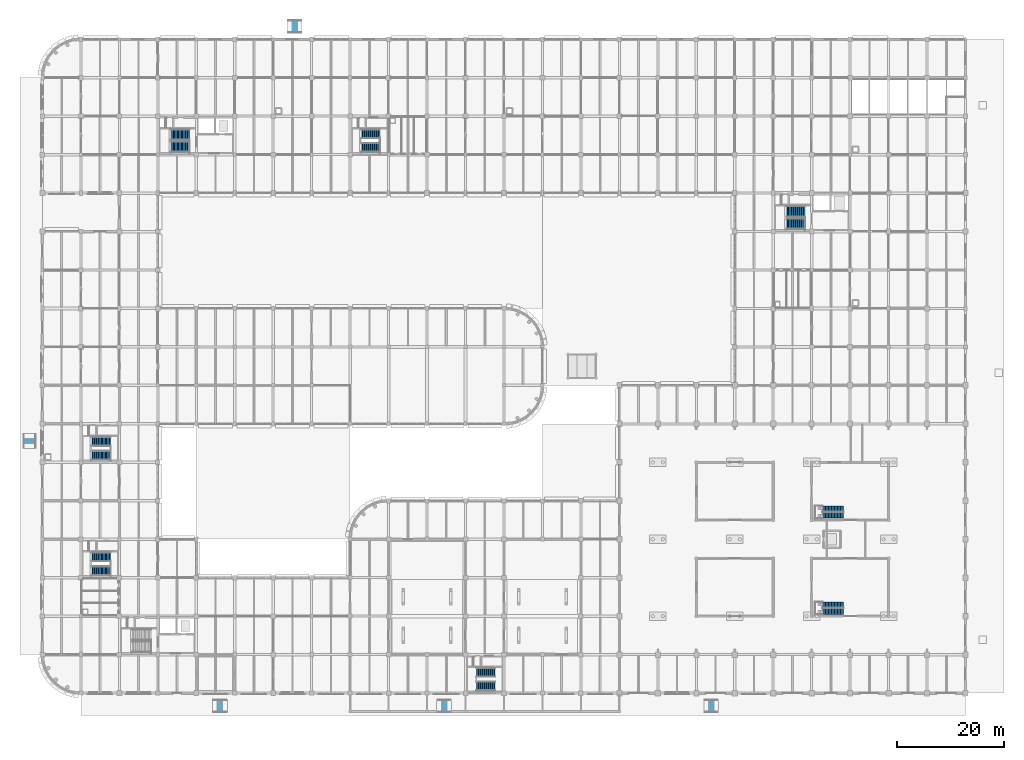
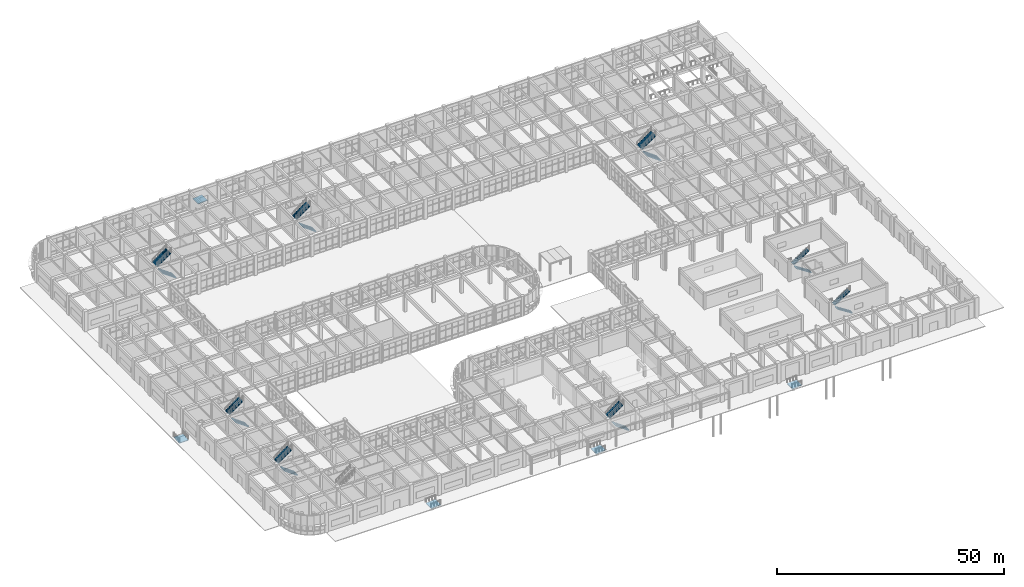
# One storey, part 150 of 160: 16 stair flights, 5 ramp flights, 13 elements without a shape of their own.
"""IFC4 building model written with IfcOpenShell, lengths in metres."""

from ifc_helpers import new_model, si_unit, direction, frame, origin, place, context, subcontext, project, spatial, polyline, outline, extrude, material, layer, layer_set, type_object, element, aggregate, save


model = new_model("IFC4")

# Units and contexts
model_context = context("Model", 3, precision=1e-05, world=origin(), true_north=direction((0.0, 1.0)))
body_context = subcontext(model_context, "Body", "Model", "MODEL_VIEW")
ifc_project = project(units=[si_unit("LENGTHUNIT", "METRE"), si_unit("AREAUNIT", "SQUARE_METRE"), si_unit("VOLUMEUNIT", "CUBIC_METRE"), si_unit("PLANEANGLEUNIT", "RADIAN"), si_unit("MASSUNIT", "GRAM", prefix="KILO")], contexts=[model_context])

# Site, building, storey
site_placement = place(None, origin())
site = spatial("IfcSite", under=ifc_project, at=site_placement, CompositionType="ELEMENT")
building_placement = place(site_placement, origin())
building = spatial("IfcBuilding", under=site, at=building_placement, Name="Thalmaran Polytechnic", CompositionType="ELEMENT")
storey_placement = place(building_placement, origin())
storey = spatial("IfcBuildingStorey", under=building, at=storey_placement, Name="L00", CompositionType="ELEMENT", Elevation=0.0)

# Stair, stair flights
ifc_material = material(Name="Concrete C40/50", Category="concrete")
stair_type_1 = type_object("IfcStairType", Name="ST-HT54", PredefinedType="HALF_TURN_STAIR", material=ifc_material)
stair_1_placement = place(storey_placement, origin())
stair_1 = element("IfcStair", 1, at=stair_1_placement, inside=storey, type_object=stair_type_1, Name="Exit Stair ST2 L00", PredefinedType="HALF_TURN_STAIR")
stair_flight_type_1 = type_object("IfcStairFlightType", Name="SF-FL16", PredefinedType="STRAIGHT", material=ifc_material)
stair_flight_1_placement = place(storey_placement, frame((27.52001953125, 102.159912109375, 0.0), z_axis=(0.0, 0.0, 1.0), x_axis=(-1.0, 0.0, 0.0)))
stair_flight_1 = element("IfcStairFlight", 2, at=stair_flight_1_placement, type_object=stair_flight_type_1, Name="Stair Flight ST2 L00 Lower", NumberOfRisers=15, NumberOfTreads=14, PredefinedType="STRAIGHT", RiserHeight=0.18, TreadLength=0.251429, context=body_context, shape_type="SweptSolid", body=[
    extrude(outline(polyline([(0.0, 0.0), (0.0, 0.179931640625), (0.25146484375, 0.179931640625), (0.25146484375, 0.360107421875), (0.5029296875, 0.360107421875), (0.5029296875, 0.5400390625), (0.75439453125, 0.5400390625), (0.75439453125, 0.719970703125), (1.005615234375, 0.719970703125), (1.005615234375, 0.89990234375), (1.257080078125, 0.89990234375), (1.257080078125, 1.080078125), (1.508544921875, 1.080078125), (1.508544921875, 1.260009765625), (1.760009765625, 1.260009765625), (1.760009765625, 1.43994140625), (2.011474609375, 1.43994140625), (2.011474609375, 1.6201171875), (2.262939453125, 1.6201171875), (2.262939453125, 1.800048828125), (2.514404296875, 1.800048828125), (2.514404296875, 1.97998046875), (2.765625, 1.97998046875), (2.765625, 2.159912109375), (3.01708984375, 2.159912109375), (3.01708984375, 2.340087890625), (3.2685546875, 2.340087890625), (3.2685546875, 2.52001953125), (3.52001953125, 2.52001953125), (3.52001953125, 2.699951171875), (3.52001953125, 2.298828125), (0.30908203125, 0.0), (0.0, 0.0)])), frame((0.0, 1.080078125, 0.0), z_axis=(0.0, -1.0, 0.0), x_axis=(1.0, 0.0, 0.0)), (0.0, 0.0, 1.0), 2.159912109375),
])
stair_flight_2_placement = place(storey_placement, frame((24.0, 104.6201171875, 2.699951171875), z_axis=(0.0, 0.0, 1.0), x_axis=(1.0, 0.0, 0.0)))
stair_flight_2 = element("IfcStairFlight", 3, at=stair_flight_2_placement, type_object=stair_flight_type_1, Name="Stair Flight ST2 L00 Upper", NumberOfRisers=15, NumberOfTreads=14, PredefinedType="STRAIGHT", RiserHeight=0.18, TreadLength=0.251429, context=body_context, shape_type="SweptSolid", body=[
    extrude(outline(polyline([(0.0, 0.0), (0.0, 0.179931640625), (0.25146484375, 0.179931640625), (0.25146484375, 0.360107421875), (0.5029296875, 0.360107421875), (0.5029296875, 0.5400390625), (0.75439453125, 0.5400390625), (0.75439453125, 0.719970703125), (1.005615234375, 0.719970703125), (1.005615234375, 0.89990234375), (1.257080078125, 0.89990234375), (1.257080078125, 1.080078125), (1.508544921875, 1.080078125), (1.508544921875, 1.260009765625), (1.760009765625, 1.260009765625), (1.760009765625, 1.43994140625), (2.011474609375, 1.43994140625), (2.011474609375, 1.6201171875), (2.262939453125, 1.6201171875), (2.262939453125, 1.800048828125), (2.514404296875, 1.800048828125), (2.514404296875, 1.97998046875), (2.765625, 1.97998046875), (2.765625, 2.159912109375), (3.01708984375, 2.159912109375), (3.01708984375, 2.340087890625), (3.2685546875, 2.340087890625), (3.2685546875, 2.52001953125), (3.52001953125, 2.52001953125), (3.52001953125, 2.699951171875), (3.52001953125, 2.298828125), (0.30908203125, 0.0), (0.0, 0.0)])), frame((0.0, 1.080078125, 0.0), z_axis=(0.0, -1.0, 0.0), x_axis=(1.0, 0.0, 0.0)), (0.0, 0.0, 1.0), 2.159912109375),
])
aggregate(stair_1, [stair_flight_1, stair_flight_2])

stair_2_placement = place(storey_placement, origin())
stair_2 = element("IfcStair", 4, at=stair_2_placement, inside=storey, type_object=stair_type_1, Name="Exit Stair ST3 L00", PredefinedType="HALF_TURN_STAIR")
stair_flight_3_placement = place(storey_placement, frame((12.760009765625, 22.7900390625, 0.0), z_axis=(0.0, 0.0, 1.0), x_axis=(-1.0, 0.0, 0.0)))
stair_flight_3 = element("IfcStairFlight", 5, at=stair_flight_3_placement, type_object=stair_flight_type_1, Name="Stair Flight ST3 L00 Lower", NumberOfRisers=15, NumberOfTreads=14, PredefinedType="STRAIGHT", RiserHeight=0.18, TreadLength=0.25, context=body_context, shape_type="SweptSolid", body=[
    extrude(outline(polyline([(0.0, 0.0), (0.0, 0.179931640625), (0.25, 0.179931640625), (0.25, 0.360107421875), (0.5, 0.360107421875), (0.5, 0.5400390625), (0.75, 0.5400390625), (0.75, 0.719970703125), (1.0, 0.719970703125), (1.0, 0.89990234375), (1.25, 0.89990234375), (1.25, 1.080078125), (1.5, 1.080078125), (1.5, 1.260009765625), (1.75, 1.260009765625), (1.75, 1.43994140625), (2.0, 1.43994140625), (2.0, 1.6201171875), (2.25, 1.6201171875), (2.25, 1.800048828125), (2.5, 1.800048828125), (2.5, 1.97998046875), (2.75, 1.97998046875), (2.75, 2.159912109375), (3.0, 2.159912109375), (3.0, 2.340087890625), (3.25, 2.340087890625), (3.25, 2.52001953125), (3.5, 2.52001953125), (3.5, 2.699951171875), (3.5, 2.29833984375), (0.307861328125, 0.0), (0.0, 0.0)])), frame((0.0, 0.91015625, 0.0), z_axis=(0.0, -1.0, 0.0), x_axis=(1.0, 0.0, 0.0)), (0.0, 0.0, 1.0), 1.820068359375),
])
stair_flight_4_placement = place(storey_placement, frame((9.260009765625, 25.590087890625, 2.699951171875), z_axis=(0.0, 0.0, 1.0), x_axis=(1.0, 0.0, 0.0)))
stair_flight_4 = element("IfcStairFlight", 6, at=stair_flight_4_placement, type_object=stair_flight_type_1, Name="Stair Flight ST3 L00 Upper", NumberOfRisers=15, NumberOfTreads=14, PredefinedType="STRAIGHT", RiserHeight=0.18, TreadLength=0.25, context=body_context, shape_type="SweptSolid", body=[
    extrude(outline(polyline([(0.0, 0.0), (0.0, 0.179931640625), (0.25, 0.179931640625), (0.25, 0.360107421875), (0.5, 0.360107421875), (0.5, 0.5400390625), (0.75, 0.5400390625), (0.75, 0.719970703125), (1.0, 0.719970703125), (1.0, 0.89990234375), (1.25, 0.89990234375), (1.25, 1.080078125), (1.5, 1.080078125), (1.5, 1.260009765625), (1.75, 1.260009765625), (1.75, 1.43994140625), (2.0, 1.43994140625), (2.0, 1.6201171875), (2.25, 1.6201171875), (2.25, 1.800048828125), (2.5, 1.800048828125), (2.5, 1.97998046875), (2.75, 1.97998046875), (2.75, 2.159912109375), (3.0, 2.159912109375), (3.0, 2.340087890625), (3.25, 2.340087890625), (3.25, 2.52001953125), (3.5, 2.52001953125), (3.5, 2.699951171875), (3.5, 2.29833984375), (0.307861328125, 0.0), (0.0, 0.0)])), frame((0.0, 0.91015625, 0.0), z_axis=(0.0, -1.0, 0.0), x_axis=(1.0, 0.0, 0.0)), (0.0, 0.0, 1.0), 1.820068359375),
])
aggregate(stair_2, [stair_flight_3, stair_flight_4])

stair_3_placement = place(storey_placement, origin())
stair_3 = element("IfcStair", 7, at=stair_3_placement, inside=storey, type_object=stair_type_1, Name="Exit Stair ST4 L00", PredefinedType="HALF_TURN_STAIR")
stair_flight_5_placement = place(storey_placement, frame((12.760009765625, 44.389892578125, 0.0), z_axis=(0.0, 0.0, 1.0), x_axis=(-1.0, 0.0, 0.0)))
stair_flight_5 = element("IfcStairFlight", 8, at=stair_flight_5_placement, type_object=stair_flight_type_1, Name="Stair Flight ST4 L00 Lower", NumberOfRisers=15, NumberOfTreads=14, PredefinedType="STRAIGHT", RiserHeight=0.18, TreadLength=0.25, context=body_context, shape_type="SweptSolid", body=[
    extrude(outline(polyline([(0.0, 0.0), (0.0, 0.179931640625), (0.25, 0.179931640625), (0.25, 0.360107421875), (0.5, 0.360107421875), (0.5, 0.5400390625), (0.75, 0.5400390625), (0.75, 0.719970703125), (1.0, 0.719970703125), (1.0, 0.89990234375), (1.25, 0.89990234375), (1.25, 1.080078125), (1.5, 1.080078125), (1.5, 1.260009765625), (1.75, 1.260009765625), (1.75, 1.43994140625), (2.0, 1.43994140625), (2.0, 1.6201171875), (2.25, 1.6201171875), (2.25, 1.800048828125), (2.5, 1.800048828125), (2.5, 1.97998046875), (2.75, 1.97998046875), (2.75, 2.159912109375), (3.0, 2.159912109375), (3.0, 2.340087890625), (3.25, 2.340087890625), (3.25, 2.52001953125), (3.5, 2.52001953125), (3.5, 2.699951171875), (3.5, 2.29833984375), (0.307861328125, 0.0), (0.0, 0.0)])), frame((0.0, 0.91015625, 0.0), z_axis=(0.0, -1.0, 0.0), x_axis=(1.0, 0.0, 0.0)), (0.0, 0.0, 1.0), 1.820068359375),
])
stair_flight_6_placement = place(storey_placement, frame((9.260009765625, 47.18994140625, 2.699951171875), z_axis=(0.0, 0.0, 1.0), x_axis=(1.0, 0.0, 0.0)))
stair_flight_6 = element("IfcStairFlight", 9, at=stair_flight_6_placement, type_object=stair_flight_type_1, Name="Stair Flight ST4 L00 Upper", NumberOfRisers=15, NumberOfTreads=14, PredefinedType="STRAIGHT", RiserHeight=0.18, TreadLength=0.25, context=body_context, shape_type="SweptSolid", body=[
    extrude(outline(polyline([(0.0, 0.0), (0.0, 0.179931640625), (0.25, 0.179931640625), (0.25, 0.360107421875), (0.5, 0.360107421875), (0.5, 0.5400390625), (0.75, 0.5400390625), (0.75, 0.719970703125), (1.0, 0.719970703125), (1.0, 0.89990234375), (1.25, 0.89990234375), (1.25, 1.080078125), (1.5, 1.080078125), (1.5, 1.260009765625), (1.75, 1.260009765625), (1.75, 1.43994140625), (2.0, 1.43994140625), (2.0, 1.6201171875), (2.25, 1.6201171875), (2.25, 1.800048828125), (2.5, 1.800048828125), (2.5, 1.97998046875), (2.75, 1.97998046875), (2.75, 2.159912109375), (3.0, 2.159912109375), (3.0, 2.340087890625), (3.25, 2.340087890625), (3.25, 2.52001953125), (3.5, 2.52001953125), (3.5, 2.699951171875), (3.5, 2.29833984375), (0.307861328125, 0.0), (0.0, 0.0)])), frame((0.0, 0.91015625, 0.0), z_axis=(0.0, -1.0, 0.0), x_axis=(1.0, 0.0, 0.0)), (0.0, 0.0, 1.0), 1.820068359375),
])
aggregate(stair_3, [stair_flight_5, stair_flight_6])

stair_4_placement = place(storey_placement, origin())
stair_4 = element("IfcStair", 10, at=stair_4_placement, inside=storey, type_object=stair_type_1, Name="Exit Stair ST5 L00", PredefinedType="HALF_TURN_STAIR")
stair_flight_7_placement = place(storey_placement, frame((142.719970703125, 87.760009765625, 0.0), z_axis=(0.0, 0.0, 1.0), x_axis=(-1.0, 0.0, 0.0)))
stair_flight_7 = element("IfcStairFlight", 11, at=stair_flight_7_placement, type_object=stair_flight_type_1, Name="Stair Flight ST5 L00 Lower", NumberOfRisers=15, NumberOfTreads=14, PredefinedType="STRAIGHT", RiserHeight=0.18, TreadLength=0.251429, context=body_context, shape_type="SweptSolid", body=[
    extrude(outline(polyline([(0.0, 0.0), (0.0, 0.179931640625), (0.25146484375, 0.179931640625), (0.25146484375, 0.360107421875), (0.5029296875, 0.360107421875), (0.5029296875, 0.5400390625), (0.75439453125, 0.5400390625), (0.75439453125, 0.719970703125), (1.005615234375, 0.719970703125), (1.005615234375, 0.89990234375), (1.257080078125, 0.89990234375), (1.257080078125, 1.080078125), (1.508544921875, 1.080078125), (1.508544921875, 1.260009765625), (1.760009765625, 1.260009765625), (1.760009765625, 1.43994140625), (2.011474609375, 1.43994140625), (2.011474609375, 1.6201171875), (2.262939453125, 1.6201171875), (2.262939453125, 1.800048828125), (2.514404296875, 1.800048828125), (2.514404296875, 1.97998046875), (2.765625, 1.97998046875), (2.765625, 2.159912109375), (3.01708984375, 2.159912109375), (3.01708984375, 2.340087890625), (3.2685546875, 2.340087890625), (3.2685546875, 2.52001953125), (3.52001953125, 2.52001953125), (3.52001953125, 2.699951171875), (3.52001953125, 2.298828125), (0.30908203125, 0.0), (0.0, 0.0)])), frame((0.0, 1.080078125, 0.0), z_axis=(0.0, -1.0, 0.0), x_axis=(1.0, 0.0, 0.0)), (0.0, 0.0, 1.0), 2.159912109375),
])
stair_flight_8_placement = place(storey_placement, frame((139.199951171875, 90.219970703125, 2.699951171875), z_axis=(0.0, 0.0, 1.0), x_axis=(1.0, 0.0, 0.0)))
stair_flight_8 = element("IfcStairFlight", 12, at=stair_flight_8_placement, type_object=stair_flight_type_1, Name="Stair Flight ST5 L00 Upper", NumberOfRisers=15, NumberOfTreads=14, PredefinedType="STRAIGHT", RiserHeight=0.18, TreadLength=0.251429, context=body_context, shape_type="SweptSolid", body=[
    extrude(outline(polyline([(0.0, 0.0), (0.0, 0.179931640625), (0.25146484375, 0.179931640625), (0.25146484375, 0.360107421875), (0.5029296875, 0.360107421875), (0.5029296875, 0.5400390625), (0.75439453125, 0.5400390625), (0.75439453125, 0.719970703125), (1.005615234375, 0.719970703125), (1.005615234375, 0.89990234375), (1.257080078125, 0.89990234375), (1.257080078125, 1.080078125), (1.508544921875, 1.080078125), (1.508544921875, 1.260009765625), (1.760009765625, 1.260009765625), (1.760009765625, 1.43994140625), (2.011474609375, 1.43994140625), (2.011474609375, 1.6201171875), (2.262939453125, 1.6201171875), (2.262939453125, 1.800048828125), (2.514404296875, 1.800048828125), (2.514404296875, 1.97998046875), (2.765625, 1.97998046875), (2.765625, 2.159912109375), (3.01708984375, 2.159912109375), (3.01708984375, 2.340087890625), (3.2685546875, 2.340087890625), (3.2685546875, 2.52001953125), (3.52001953125, 2.52001953125), (3.52001953125, 2.699951171875), (3.52001953125, 2.298828125), (0.30908203125, 0.0), (0.0, 0.0)])), frame((0.0, 1.080078125, 0.0), z_axis=(0.0, -1.0, 0.0), x_axis=(1.0, 0.0, 0.0)), (0.0, 0.0, 1.0), 2.159912109375),
])
aggregate(stair_4, [stair_flight_7, stair_flight_8])

stair_5_placement = place(storey_placement, origin())
stair_5 = element("IfcStair", 13, at=stair_5_placement, inside=storey, type_object=stair_type_1, Name="Exit Stair ST6 L00", PredefinedType="HALF_TURN_STAIR")
stair_flight_9_placement = place(storey_placement, frame((63.159912109375, 101.989990234375, 0.0), z_axis=(0.0, 0.0, 1.0), x_axis=(-1.0, 0.0, 0.0)))
stair_flight_9 = element("IfcStairFlight", 14, at=stair_flight_9_placement, type_object=stair_flight_type_1, Name="Stair Flight ST6 L00 Lower", NumberOfRisers=15, NumberOfTreads=14, PredefinedType="STRAIGHT", RiserHeight=0.18, TreadLength=0.25, context=body_context, shape_type="SweptSolid", body=[
    extrude(outline(polyline([(0.0, 0.0), (0.0, 0.179931640625), (0.25, 0.179931640625), (0.25, 0.360107421875), (0.5, 0.360107421875), (0.5, 0.5400390625), (0.75, 0.5400390625), (0.75, 0.719970703125), (1.0, 0.719970703125), (1.0, 0.89990234375), (1.25, 0.89990234375), (1.25, 1.080078125), (1.5, 1.080078125), (1.5, 1.260009765625), (1.75, 1.260009765625), (1.75, 1.43994140625), (2.0, 1.43994140625), (2.0, 1.6201171875), (2.25, 1.6201171875), (2.25, 1.800048828125), (2.5, 1.800048828125), (2.5, 1.97998046875), (2.75, 1.97998046875), (2.75, 2.159912109375), (3.0, 2.159912109375), (3.0, 2.340087890625), (3.25, 2.340087890625), (3.25, 2.52001953125), (3.5, 2.52001953125), (3.5, 2.699951171875), (3.5, 2.29833984375), (0.307861328125, 0.0), (0.0, 0.0)])), frame((0.0, 0.91015625, 0.0), z_axis=(0.0, -1.0, 0.0), x_axis=(1.0, 0.0, 0.0)), (0.0, 0.0, 1.0), 1.820068359375),
])
stair_flight_10_placement = place(storey_placement, frame((59.659912109375, 104.7900390625, 2.699951171875), z_axis=(0.0, 0.0, 1.0), x_axis=(1.0, 0.0, 0.0)))
stair_flight_10 = element("IfcStairFlight", 15, at=stair_flight_10_placement, type_object=stair_flight_type_1, Name="Stair Flight ST6 L00 Upper", NumberOfRisers=15, NumberOfTreads=14, PredefinedType="STRAIGHT", RiserHeight=0.18, TreadLength=0.25, context=body_context, shape_type="SweptSolid", body=[
    extrude(outline(polyline([(0.0, 0.0), (0.0, 0.179931640625), (0.25, 0.179931640625), (0.25, 0.360107421875), (0.5, 0.360107421875), (0.5, 0.5400390625), (0.75, 0.5400390625), (0.75, 0.719970703125), (1.0, 0.719970703125), (1.0, 0.89990234375), (1.25, 0.89990234375), (1.25, 1.080078125), (1.5, 1.080078125), (1.5, 1.260009765625), (1.75, 1.260009765625), (1.75, 1.43994140625), (2.0, 1.43994140625), (2.0, 1.6201171875), (2.25, 1.6201171875), (2.25, 1.800048828125), (2.5, 1.800048828125), (2.5, 1.97998046875), (2.75, 1.97998046875), (2.75, 2.159912109375), (3.0, 2.159912109375), (3.0, 2.340087890625), (3.25, 2.340087890625), (3.25, 2.52001953125), (3.5, 2.52001953125), (3.5, 2.699951171875), (3.5, 2.29833984375), (0.307861328125, 0.0), (0.0, 0.0)])), frame((0.0, 0.91015625, 0.0), z_axis=(0.0, -1.0, 0.0), x_axis=(1.0, 0.0, 0.0)), (0.0, 0.0, 1.0), 1.820068359375),
])
aggregate(stair_5, [stair_flight_9, stair_flight_10])

stair_6_placement = place(storey_placement, origin())
stair_6 = element("IfcStair", 16, at=stair_6_placement, inside=storey, type_object=stair_type_1, Name="Exit Stair ST7 L00", PredefinedType="HALF_TURN_STAIR")
stair_flight_11_placement = place(storey_placement, frame((84.760009765625, 1.18994140625, 0.0), z_axis=(0.0, 0.0, 1.0), x_axis=(-1.0, 0.0, 0.0)))
stair_flight_11 = element("IfcStairFlight", 17, at=stair_flight_11_placement, type_object=stair_flight_type_1, Name="Stair Flight ST7 L00 Lower", NumberOfRisers=15, NumberOfTreads=14, PredefinedType="STRAIGHT", RiserHeight=0.18, TreadLength=0.25, context=body_context, shape_type="SweptSolid", body=[
    extrude(outline(polyline([(0.0, 0.0), (0.0, 0.179931640625), (0.25, 0.179931640625), (0.25, 0.360107421875), (0.5, 0.360107421875), (0.5, 0.5400390625), (0.75, 0.5400390625), (0.75, 0.719970703125), (1.0, 0.719970703125), (1.0, 0.89990234375), (1.25, 0.89990234375), (1.25, 1.080078125), (1.5, 1.080078125), (1.5, 1.260009765625), (1.75, 1.260009765625), (1.75, 1.43994140625), (2.0, 1.43994140625), (2.0, 1.6201171875), (2.25, 1.6201171875), (2.25, 1.800048828125), (2.5, 1.800048828125), (2.5, 1.97998046875), (2.75, 1.97998046875), (2.75, 2.159912109375), (3.0, 2.159912109375), (3.0, 2.340087890625), (3.25, 2.340087890625), (3.25, 2.52001953125), (3.5, 2.52001953125), (3.5, 2.699951171875), (3.5, 2.29833984375), (0.307861328125, 0.0), (0.0, 0.0)])), frame((0.0, 0.91015625, 0.0), z_axis=(0.0, -1.0, 0.0), x_axis=(1.0, 0.0, 0.0)), (0.0, 0.0, 1.0), 1.820068359375),
])
stair_flight_12_placement = place(storey_placement, frame((81.260009765625, 3.989990234375, 2.699951171875), z_axis=(0.0, 0.0, 1.0), x_axis=(1.0, 0.0, 0.0)))
stair_flight_12 = element("IfcStairFlight", 18, at=stair_flight_12_placement, type_object=stair_flight_type_1, Name="Stair Flight ST7 L00 Upper", NumberOfRisers=15, NumberOfTreads=14, PredefinedType="STRAIGHT", RiserHeight=0.18, TreadLength=0.25, context=body_context, shape_type="SweptSolid", body=[
    extrude(outline(polyline([(0.0, 0.0), (0.0, 0.179931640625), (0.25, 0.179931640625), (0.25, 0.360107421875), (0.5, 0.360107421875), (0.5, 0.5400390625), (0.75, 0.5400390625), (0.75, 0.719970703125), (1.0, 0.719970703125), (1.0, 0.89990234375), (1.25, 0.89990234375), (1.25, 1.080078125), (1.5, 1.080078125), (1.5, 1.260009765625), (1.75, 1.260009765625), (1.75, 1.43994140625), (2.0, 1.43994140625), (2.0, 1.6201171875), (2.25, 1.6201171875), (2.25, 1.800048828125), (2.5, 1.800048828125), (2.5, 1.97998046875), (2.75, 1.97998046875), (2.75, 2.159912109375), (3.0, 2.159912109375), (3.0, 2.340087890625), (3.25, 2.340087890625), (3.25, 2.52001953125), (3.5, 2.52001953125), (3.5, 2.699951171875), (3.5, 2.29833984375), (0.307861328125, 0.0), (0.0, 0.0)])), frame((0.0, 0.91015625, 0.0), z_axis=(0.0, -1.0, 0.0), x_axis=(1.0, 0.0, 0.0)), (0.0, 0.0, 1.0), 1.820068359375),
])
aggregate(stair_6, [stair_flight_11, stair_flight_12])

stair_type_2 = type_object("IfcStairType", Name="ST-SR54", PredefinedType="HALF_TURN_STAIR", material=ifc_material)
stair_7_placement = place(storey_placement, origin())
stair_7 = element("IfcStair", 19, at=stair_7_placement, inside=storey, type_object=stair_type_2, Name="Pod Mezzanine Stair STP1", PredefinedType="HALF_TURN_STAIR")
stair_flight_type_2 = type_object("IfcStairFlightType", Name="SF-FP16", PredefinedType="STRAIGHT", material=ifc_material)
stair_flight_13_placement = place(storey_placement, frame((149.9599609375, 15.300048828125, 0.0), z_axis=(0.0, 0.0, 1.0), x_axis=(-1.0, 0.0, 0.0)))
stair_flight_13 = element("IfcStairFlight", 20, at=stair_flight_13_placement, type_object=stair_flight_type_2, Name="STP1 Lower Flight", NumberOfRisers=15, NumberOfTreads=14, PredefinedType="STRAIGHT", RiserHeight=0.18, TreadLength=0.28, context=body_context, shape_type="SweptSolid", body=[
    extrude(outline(polyline([(0.0, 0.0), (0.0, 0.179931640625), (0.280029296875, 0.179931640625), (0.280029296875, 0.360107421875), (0.56005859375, 0.360107421875), (0.56005859375, 0.5400390625), (0.840087890625, 0.5400390625), (0.840087890625, 0.719970703125), (1.1201171875, 0.719970703125), (1.1201171875, 0.89990234375), (1.39990234375, 0.89990234375), (1.39990234375, 1.080078125), (1.679931640625, 1.080078125), (1.679931640625, 1.260009765625), (1.9599609375, 1.260009765625), (1.9599609375, 1.43994140625), (2.239990234375, 1.43994140625), (2.239990234375, 1.6201171875), (2.52001953125, 1.6201171875), (2.52001953125, 1.800048828125), (2.800048828125, 1.800048828125), (2.800048828125, 1.97998046875), (3.080078125, 1.97998046875), (3.080078125, 2.159912109375), (3.360107421875, 2.159912109375), (3.360107421875, 2.340087890625), (3.639892578125, 2.340087890625), (3.639892578125, 2.52001953125), (3.919921875, 2.52001953125), (3.919921875, 2.699951171875), (3.919921875, 2.329833984375), (0.295654296875, 0.0), (0.0, 0.0)])), frame((0.0, 0.56982421875, 0.0), z_axis=(0.0, -1.0, 0.0), x_axis=(1.0, 0.0, 0.0)), (0.0, 0.0, 1.0), 1.139892578125),
])
stair_flight_14_placement = place(storey_placement, frame((146.0400390625, 16.5, 2.699951171875), z_axis=(0.0, 0.0, 1.0), x_axis=(1.0, 0.0, 0.0)))
stair_flight_14 = element("IfcStairFlight", 21, at=stair_flight_14_placement, type_object=stair_flight_type_2, Name="STP1 Upper Flight", NumberOfRisers=15, NumberOfTreads=14, PredefinedType="STRAIGHT", RiserHeight=0.18, TreadLength=0.28, context=body_context, shape_type="SweptSolid", body=[
    extrude(outline(polyline([(0.0, 0.0), (0.0, 0.179931640625), (0.280029296875, 0.179931640625), (0.280029296875, 0.360107421875), (0.56005859375, 0.360107421875), (0.56005859375, 0.5400390625), (0.840087890625, 0.5400390625), (0.840087890625, 0.719970703125), (1.1201171875, 0.719970703125), (1.1201171875, 0.89990234375), (1.39990234375, 0.89990234375), (1.39990234375, 1.080078125), (1.679931640625, 1.080078125), (1.679931640625, 1.260009765625), (1.9599609375, 1.260009765625), (1.9599609375, 1.43994140625), (2.239990234375, 1.43994140625), (2.239990234375, 1.6201171875), (2.52001953125, 1.6201171875), (2.52001953125, 1.800048828125), (2.800048828125, 1.800048828125), (2.800048828125, 1.97998046875), (3.080078125, 1.97998046875), (3.080078125, 2.159912109375), (3.360107421875, 2.159912109375), (3.360107421875, 2.340087890625), (3.639892578125, 2.340087890625), (3.639892578125, 2.52001953125), (3.919921875, 2.52001953125), (3.919921875, 2.699951171875), (3.919921875, 2.329833984375), (0.295654296875, 0.0), (0.0, 0.0)])), frame((0.0, 0.56982421875, 0.0), z_axis=(0.0, -1.0, 0.0), x_axis=(1.0, 0.0, 0.0)), (0.0, 0.0, 1.0), 1.139892578125),
])
aggregate(stair_7, [stair_flight_13, stair_flight_14])

stair_8_placement = place(storey_placement, origin())
stair_8 = element("IfcStair", 22, at=stair_8_placement, inside=storey, type_object=stair_type_2, Name="Pod Mezzanine Stair STP2", PredefinedType="HALF_TURN_STAIR")
stair_flight_15_placement = place(storey_placement, frame((149.9599609375, 33.300048828125, 0.0), z_axis=(0.0, 0.0, 1.0), x_axis=(-1.0, 0.0, 0.0)))
stair_flight_15 = element("IfcStairFlight", 23, at=stair_flight_15_placement, type_object=stair_flight_type_2, Name="STP2 Lower Flight", NumberOfRisers=15, NumberOfTreads=14, PredefinedType="STRAIGHT", RiserHeight=0.18, TreadLength=0.28, context=body_context, shape_type="SweptSolid", body=[
    extrude(outline(polyline([(0.0, 0.0), (0.0, 0.179931640625), (0.280029296875, 0.179931640625), (0.280029296875, 0.360107421875), (0.56005859375, 0.360107421875), (0.56005859375, 0.5400390625), (0.840087890625, 0.5400390625), (0.840087890625, 0.719970703125), (1.1201171875, 0.719970703125), (1.1201171875, 0.89990234375), (1.39990234375, 0.89990234375), (1.39990234375, 1.080078125), (1.679931640625, 1.080078125), (1.679931640625, 1.260009765625), (1.9599609375, 1.260009765625), (1.9599609375, 1.43994140625), (2.239990234375, 1.43994140625), (2.239990234375, 1.6201171875), (2.52001953125, 1.6201171875), (2.52001953125, 1.800048828125), (2.800048828125, 1.800048828125), (2.800048828125, 1.97998046875), (3.080078125, 1.97998046875), (3.080078125, 2.159912109375), (3.360107421875, 2.159912109375), (3.360107421875, 2.340087890625), (3.639892578125, 2.340087890625), (3.639892578125, 2.52001953125), (3.919921875, 2.52001953125), (3.919921875, 2.699951171875), (3.919921875, 2.329833984375), (0.295654296875, 0.0), (0.0, 0.0)])), frame((0.0, 0.56982421875, 0.0), z_axis=(0.0, -1.0, 0.0), x_axis=(1.0, 0.0, 0.0)), (0.0, 0.0, 1.0), 1.139892578125),
])
stair_flight_16_placement = place(storey_placement, frame((146.0400390625, 34.5, 2.699951171875), z_axis=(0.0, 0.0, 1.0), x_axis=(1.0, 0.0, 0.0)))
stair_flight_16 = element("IfcStairFlight", 24, at=stair_flight_16_placement, type_object=stair_flight_type_2, Name="STP2 Upper Flight", NumberOfRisers=15, NumberOfTreads=14, PredefinedType="STRAIGHT", RiserHeight=0.18, TreadLength=0.28, context=body_context, shape_type="SweptSolid", body=[
    extrude(outline(polyline([(0.0, 0.0), (0.0, 0.179931640625), (0.280029296875, 0.179931640625), (0.280029296875, 0.360107421875), (0.56005859375, 0.360107421875), (0.56005859375, 0.5400390625), (0.840087890625, 0.5400390625), (0.840087890625, 0.719970703125), (1.1201171875, 0.719970703125), (1.1201171875, 0.89990234375), (1.39990234375, 0.89990234375), (1.39990234375, 1.080078125), (1.679931640625, 1.080078125), (1.679931640625, 1.260009765625), (1.9599609375, 1.260009765625), (1.9599609375, 1.43994140625), (2.239990234375, 1.43994140625), (2.239990234375, 1.6201171875), (2.52001953125, 1.6201171875), (2.52001953125, 1.800048828125), (2.800048828125, 1.800048828125), (2.800048828125, 1.97998046875), (3.080078125, 1.97998046875), (3.080078125, 2.159912109375), (3.360107421875, 2.159912109375), (3.360107421875, 2.340087890625), (3.639892578125, 2.340087890625), (3.639892578125, 2.52001953125), (3.919921875, 2.52001953125), (3.919921875, 2.699951171875), (3.919921875, 2.329833984375), (0.295654296875, 0.0), (0.0, 0.0)])), frame((0.0, 0.56982421875, 0.0), z_axis=(0.0, -1.0, 0.0), x_axis=(1.0, 0.0, 0.0)), (0.0, 0.0, 1.0), 1.139892578125),
])
aggregate(stair_8, [stair_flight_15, stair_flight_16])

# Ramp, ramp flight
ramp_type = type_object("IfcRampType", Name="RM-PD01", PredefinedType="STRAIGHT_RUN_RAMP", material=ifc_material)
ramp_1_placement = place(storey_placement, origin())
ramp_1 = element("IfcRamp", 25, at=ramp_1_placement, inside=storey, type_object=ramp_type, Name="Step-Free Pedestrian Entrance Ramp PED1", PredefinedType="STRAIGHT_RUN_RAMP")
ifc_layer = layer(ifc_material, 0.199951171875, Name="Concrete C40/50")
ifc_layer_set = layer_set([ifc_layer], Name="Concrete C40/50")
ramp_flight_type = type_object("IfcRampFlightType", Name="RF-PF01", PredefinedType="STRAIGHT", material=ifc_layer_set)
ramp_flight_1_placement = place(storey_placement, frame((32.0, -3.60009765625, -0.179931640625), z_axis=(-0.074764728906, 0.0, 0.997201201018), x_axis=(0.997201201018, 0.0, 0.074764728906)))
ramp_flight_1 = element("IfcRampFlight", 26, at=ramp_flight_1_placement, type_object=ramp_flight_type, Name="Pedestrian Entrance Ramp Flight PED1", PredefinedType="STRAIGHT", context=body_context, shape_type="SweptSolid", body=[
    extrude(outline(polyline([(0.0, 0.0), (2.4066380398461975, 0.0), (2.4066380398461975, 2.400146484375), (0.0, 2.400146484375), (0.0, 0.0)])), origin(), (0.0, 0.0, -1.0), 0.179931640625),
])
aggregate(ramp_1, [ramp_flight_1])

ramp_2_placement = place(storey_placement, origin())
ramp_2 = element("IfcRamp", 27, at=ramp_2_placement, inside=storey, type_object=ramp_type, Name="Step-Free Pedestrian Entrance Ramp PED2", PredefinedType="STRAIGHT_RUN_RAMP")
ramp_flight_2_placement = place(storey_placement, frame((74.0, -3.60009765625, -0.179931640625), z_axis=(-0.074764728906, 0.0, 0.997201201018), x_axis=(0.997201201018, 0.0, 0.074764728906)))
ramp_flight_2 = element("IfcRampFlight", 28, at=ramp_flight_2_placement, type_object=ramp_flight_type, Name="Pedestrian Entrance Ramp Flight PED2", PredefinedType="STRAIGHT", context=body_context, shape_type="SweptSolid", body=[
    extrude(outline(polyline([(0.0, 0.0), (2.4066380398461975, 0.0), (2.4066380398461975, 2.400146484375), (0.0, 2.400146484375), (0.0, 0.0)])), origin(), (0.0, 0.0, -1.0), 0.179931640625),
])
aggregate(ramp_2, [ramp_flight_2])

ramp_3_placement = place(storey_placement, origin())
ramp_3 = element("IfcRamp", 29, at=ramp_3_placement, inside=storey, type_object=ramp_type, Name="Step-Free Pedestrian Entrance Ramp PED3", PredefinedType="STRAIGHT_RUN_RAMP")
ramp_flight_3_placement = place(storey_placement, frame((124.0, -3.60009765625, -0.179931640625), z_axis=(-0.074764728906, 0.0, 0.997201201018), x_axis=(0.997201201018, 0.0, 0.074764728906)))
ramp_flight_3 = element("IfcRampFlight", 30, at=ramp_flight_3_placement, type_object=ramp_flight_type, Name="Pedestrian Entrance Ramp Flight PED3", PredefinedType="STRAIGHT", context=body_context, shape_type="SweptSolid", body=[
    extrude(outline(polyline([(0.0, 0.0), (2.4066380398461975, 0.0), (2.4066380398461975, 2.400146484375), (0.0, 2.400146484375), (0.0, 0.0)])), origin(), (0.0, 0.0, -1.0), 0.179931640625),
])
aggregate(ramp_3, [ramp_flight_3])

ramp_4_placement = place(storey_placement, origin())
ramp_4 = element("IfcRamp", 31, at=ramp_4_placement, inside=storey, type_object=ramp_type, Name="Step-Free Pedestrian Entrance Ramp PED4", PredefinedType="STRAIGHT_RUN_RAMP")
ramp_flight_4_placement = place(storey_placement, frame((-3.60009765625, 46.0, -0.179931640625), z_axis=(0.0, -0.074764728906, 0.997201201018), x_axis=(1.0, 0.0, 0.0)))
ramp_flight_4 = element("IfcRampFlight", 32, at=ramp_flight_4_placement, type_object=ramp_flight_type, Name="Pedestrian Entrance Ramp Flight PED4", PredefinedType="STRAIGHT", context=body_context, shape_type="SweptSolid", body=[
    extrude(outline(polyline([(0.0, 0.0), (2.400146484375, 0.0), (2.400146484375, 2.4066380398461975), (0.0, 2.4066380398461975), (0.0, 0.0)])), origin(), (0.0, 0.0, -1.0), 0.179931640625),
])
aggregate(ramp_4, [ramp_flight_4])

ramp_5_placement = place(storey_placement, origin())
ramp_5 = element("IfcRamp", 33, at=ramp_5_placement, inside=storey, type_object=ramp_type, Name="Step-Free Pedestrian Entrance Ramp PED5", PredefinedType="STRAIGHT_RUN_RAMP")
ramp_flight_5_placement = place(storey_placement, frame((46.0, 123.60009765625, -0.179931640625), z_axis=(-0.074764728906, 0.0, 0.997201201018), x_axis=(0.997201201018, 0.0, 0.074764728906)))
ramp_flight_5 = element("IfcRampFlight", 34, at=ramp_flight_5_placement, type_object=ramp_flight_type, Name="Pedestrian Entrance Ramp Flight PED5", PredefinedType="STRAIGHT", context=body_context, shape_type="SweptSolid", body=[
    extrude(outline(polyline([(0.0, 0.0), (2.4066380398461975, 0.0), (2.4066380398461975, 2.3999023437500004), (0.0, 2.3999023437500004), (0.0, 0.0)])), origin(), (0.0, 0.0, -1.0), 0.179931640625),
])
aggregate(ramp_5, [ramp_flight_5])

save(model, "model.ifc")
